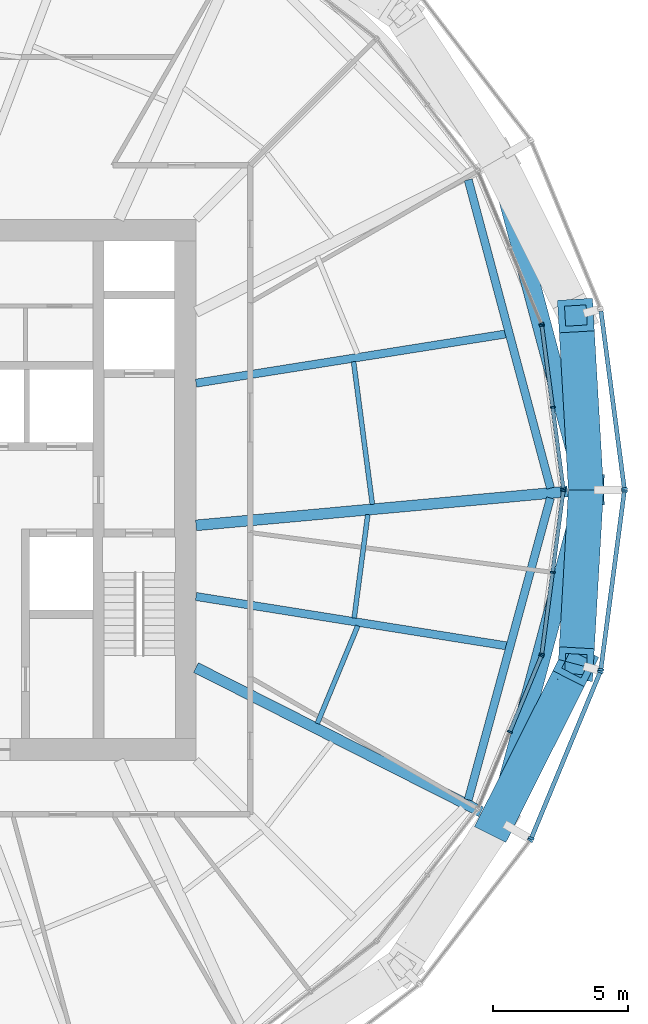
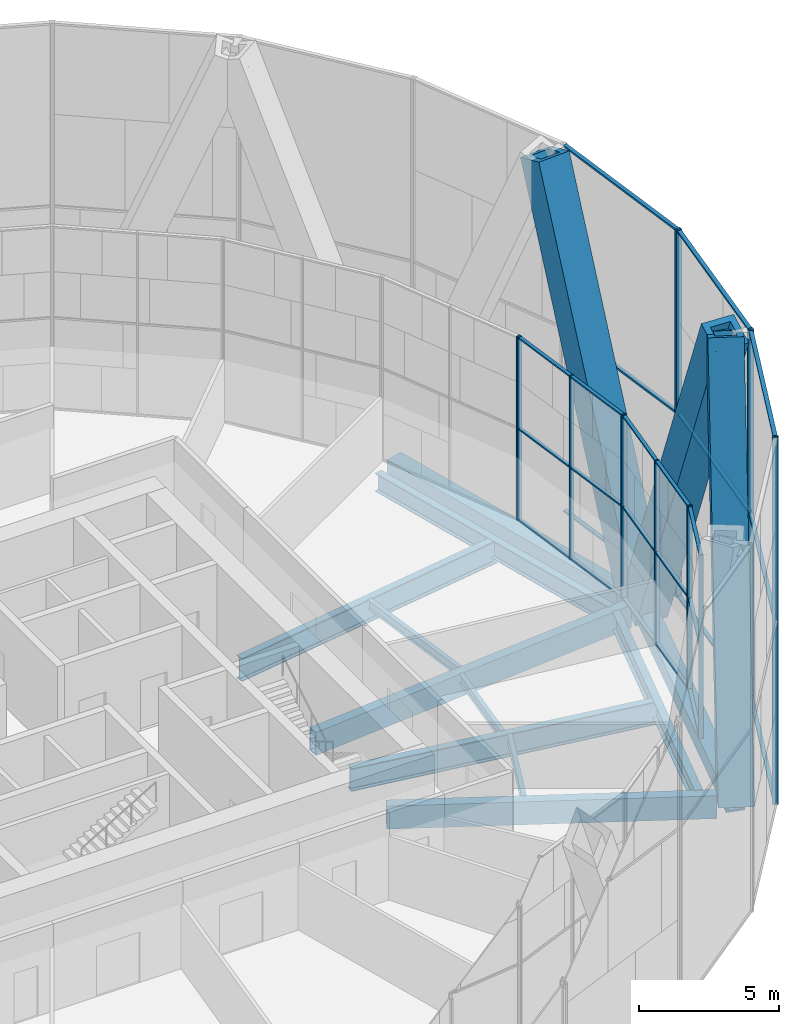
# One storey, part 5 of 22: 42 members, 11 beams, 8 elements without a shape of their own.
"""IFC4 building model written with IfcOpenShell, lengths in metres."""

from ifc_helpers import new_model, si_unit, direction, frame, origin, origin_2d, place, context, subcontext, project, spatial, rectangle, hollow_rectangle, i_section, extrude, material, material_profile, profile_set, type_object, element, aggregate, save


model = new_model("IFC4")

# Units and contexts
model_context = context("Model", 3, precision=1e-05, world=origin(), true_north=direction((0.0, 1.0)))
body_context = subcontext(model_context, "Body", "Model", "MODEL_VIEW")
ifc_project = project(units=[si_unit("LENGTHUNIT", "METRE"), si_unit("AREAUNIT", "SQUARE_METRE"), si_unit("VOLUMEUNIT", "CUBIC_METRE"), si_unit("PLANEANGLEUNIT", "RADIAN"), si_unit("MASSUNIT", "GRAM", prefix="KILO")], contexts=[model_context])

# Site, building, storey
site_placement = place(None, origin())
site = spatial("IfcSite", under=ifc_project, at=site_placement, CompositionType="ELEMENT")
building_placement = place(site_placement, origin())
building = spatial("IfcBuilding", under=site, at=building_placement, Name="Golbaran Civic Tower", CompositionType="ELEMENT")
storey_placement = place(building_placement, frame((0.0, 0.0, 53.0)))
storey = spatial("IfcBuildingStorey", under=building, at=storey_placement, Name="L12", CompositionType="ELEMENT", Elevation=53.0)

# Members
ifc_material_1 = material(Name="Steel S355", Category="steel")
ifc_material_profile_1 = material_profile(ifc_material_1, hollow_rectangle(XDim=1.300048828125, YDim=1.300048828125, WallThickness=0.25, at=origin_2d()), Name="BOX 1300x1300x250")
ifc_profile_set_1 = profile_set([ifc_material_profile_1], Name="Steel S355")
member_type_1 = type_object("IfcMemberType", Name="DIAGRID DIAGONAL BOX 1300x1300x250", PredefinedType="BRACE", material=ifc_profile_set_1)
for number, where, z_axis, x_axis, name in (
    (1, (24.416015625, 0.0, -0.7099609375), (-0.021622964428, 0.373420671031, 0.927410076426), (-0.998327703448, -0.05780827387, 0.0), "Diagonal D02-00R L12-L16"),
    (2, (24.416015625, 0.0, -0.7099609375), (-0.021622964428, -0.373420671031, 0.927410076426), (0.998327703448, -0.05780827387, 0.0), "Diagonal D02-00L L12-L16"),
):
    element("IfcMember", number, at=place(storey_placement, frame(where, z_axis=z_axis, x_axis=x_axis)), inside=storey, type_object=member_type_1, Name=name, PredefinedType="BRACE", context=body_context, shape_type="SweptSolid", body=[
        extrude(hollow_rectangle(XDim=1.300048828125, YDim=1.300048828125, WallThickness=0.25, at=origin_2d()), origin(), (0.0, 0.0, 1.0), 17.25244140625),
    ])
member_1_placement = place(storey_placement, frame((21.144775390625, -12.2080078125, -0.7099609375), z_axis=(0.167988782201, 0.334194514401, 0.927412419368), x_axis=(-0.893471758734, 0.449119378723, 0.0)))
element("IfcMember", 3, at=member_1_placement, inside=storey, type_object=member_type_1, Name="Diagonal D02-11R L12-L16", PredefinedType="BRACE", context=body_context, shape_type="SweptSolid", body=[
    extrude(hollow_rectangle(XDim=1.300048828125, YDim=1.300048828125, WallThickness=0.25, at=origin_2d()), origin(), (0.0, 0.0, 1.0), 17.252197265625),
])

# Beams
ifc_material_profile_2 = material_profile(ifc_material_1, hollow_rectangle(XDim=0.699951171875, YDim=0.699951171875, WallThickness=0.080078125, at=origin_2d()), Name="BOX 700x700x80")
ifc_profile_set_2 = profile_set([ifc_material_profile_2], Name="Steel S355")
beam_type_1 = type_object("IfcBeamType", Name="DIAGRID RING TIE BOX 700x700x80", PredefinedType="BEAM", material=ifc_profile_set_2)
for number, where, z_axis, x_axis, name in (
    (4, (24.416015625, 0.0, -0.7099609375), (-0.258827490311, 0.965923563363, 0.0), (-0.965923563363, -0.258827490311, 0.0), "Ring tie 0.00 L12"),
    (5, (21.144775390625, -12.2080078125, -0.7099609375), (0.258827490311, 0.965923563363, 0.0), (-0.965923563363, 0.258827490311, 0.0), "Ring tie 330.00 L12"),
):
    element("IfcBeam", number, at=place(storey_placement, frame(where, z_axis=z_axis, x_axis=x_axis)), inside=storey, type_object=beam_type_1, Name=name, PredefinedType="BEAM", context=body_context, shape_type="SweptSolid", body=[
        extrude(hollow_rectangle(XDim=0.699951171875, YDim=0.699951171875, WallThickness=0.080078125, at=origin_2d()), origin(), (0.0, 0.0, 1.0), 12.638671875),
    ])
ifc_material_profile_3 = material_profile(ifc_material_1, i_section(OverallWidth=0.300048828125, OverallDepth=0.800048828125, WebThickness=0.017578125, FlangeThickness=0.032958984375, FilletRadius=0.030029296875, at=origin_2d()), Name="HEB 800")
ifc_profile_set_3 = profile_set([ifc_material_profile_3], Name="Steel S355")
beam_type_2 = type_object("IfcBeamType", Name="EDGE BEAM HEB 800", PredefinedType="BEAM", material=ifc_profile_set_3)
beam_1_placement = place(storey_placement, frame((23.10595703125, 0.061279296875, -0.60009765625), z_axis=(-0.257877749749, 0.966177554171, 0.0), x_axis=(-0.966177554171, -0.257877749749, 0.0)))
element("IfcBeam", 6, at=beam_1_placement, inside=storey, type_object=beam_type_2, Name="Edge beam 0.00 L12", PredefinedType="BEAM", context=body_context, shape_type="SweptSolid", body=[
    extrude(i_section(OverallWidth=0.300048828125, OverallDepth=0.800048828125, WebThickness=0.017578125, FlangeThickness=0.032958984375, FilletRadius=0.030029296875, at=origin_2d()), origin(), (0.0, 0.0, 1.0), 11.797119140625),
])
beam_2_placement = place(storey_placement, frame((20.064453125, -11.4599609375, -0.60009765625), z_axis=(0.262683340783, 0.964882097707, 0.0), x_axis=(-0.964882097707, 0.262683340783, 0.0)))
element("IfcBeam", 7, at=beam_2_placement, inside=storey, type_object=beam_type_2, Name="Edge beam 330.00 L12", PredefinedType="BEAM", context=body_context, shape_type="SweptSolid", body=[
    extrude(i_section(OverallWidth=0.300048828125, OverallDepth=0.800048828125, WebThickness=0.017578125, FlangeThickness=0.032958984375, FilletRadius=0.030029296875, at=origin_2d()), origin(), (0.0, 0.0, 1.0), 11.565673828125),
])
ifc_material_profile_4 = material_profile(ifc_material_1, i_section(OverallWidth=0.179931640625, OverallDepth=0.39990234375, WebThickness=0.008544921875, FlangeThickness=0.013427734375, FilletRadius=0.02099609375, at=origin_2d()), Name="IPE 400")
ifc_profile_set_4 = profile_set([ifc_material_profile_4], Name="Steel S355")
beam_type_3 = type_object("IfcBeamType", Name="FLOOR INFILL BEAM IPE 400", PredefinedType="BEAM", material=ifc_profile_set_4)
beam_3_placement = place(storey_placement, frame((16.519775390625, -0.5390625, -0.39990234375), z_axis=(-0.130486557612, 0.991450078563, 0.0), x_axis=(-0.991450078563, -0.130486557612, 0.0)))
element("IfcBeam", 8, at=beam_3_placement, inside=storey, type_object=beam_type_3, Name="Infill beam 7.50 L12", PredefinedType="BEAM", context=body_context, shape_type="SweptSolid", body=[
    extrude(i_section(OverallWidth=0.179931640625, OverallDepth=0.39990234375, WebThickness=0.008544921875, FlangeThickness=0.013427734375, FilletRadius=0.02099609375, at=origin_2d()), origin(), (0.0, 0.0, 1.0), 5.321044921875),
])
beam_4_placement = place(storey_placement, frame((14.484619140625, -8.637939453125, -0.39990234375), z_axis=(0.382690071798, 0.92387678234, 0.0), x_axis=(-0.92387678234, 0.382690071798, 0.0)))
element("IfcBeam", 9, at=beam_4_placement, inside=storey, type_object=beam_type_3, Name="Infill beam 337.50 L12", PredefinedType="BEAM", context=body_context, shape_type="SweptSolid", body=[
    extrude(i_section(OverallWidth=0.179931640625, OverallDepth=0.39990234375, WebThickness=0.008544921875, FlangeThickness=0.013427734375, FilletRadius=0.02099609375, at=origin_2d()), origin(), (0.0, 0.0, 1.0), 3.909423828125),
])
beam_5_placement = place(storey_placement, frame((15.847412109375, -4.74169921875, -0.39990234375), z_axis=(0.130526525745, 0.991444817464, 0.0), x_axis=(-0.991444817464, 0.130526525745, 0.0)))
element("IfcBeam", 10, at=beam_5_placement, inside=storey, type_object=beam_type_3, Name="Infill beam 352.50 L12", PredefinedType="BEAM", context=body_context, shape_type="SweptSolid", body=[
    extrude(i_section(OverallWidth=0.179931640625, OverallDepth=0.39990234375, WebThickness=0.008544921875, FlangeThickness=0.013427734375, FilletRadius=0.02099609375, at=origin_2d()), origin(), (0.0, 0.0, 1.0), 3.858642578125),
])

# Curtain wall, members
ifc_material_2 = material(Name="Aluminium and glass", Category="aluminium")
curtain_wall_type_1 = type_object("IfcCurtainWallType", Name="INNER SKIN CURTAIN WALL", PredefinedType="NOTDEFINED", material=ifc_material_2)
curtain_wall_1_placement = place(storey_placement, origin())
curtain_wall_1 = element("IfcCurtainWall", 11, at=curtain_wall_1_placement, inside=storey, type_object=curtain_wall_type_1, Name="Inner skin L12 facet 1 CW1", ObjectType="INNER SKIN", PredefinedType="USERDEFINED")
ifc_material_3 = material(Name="Aluminium", Category="aluminium")
ifc_material_profile_5 = material_profile(ifc_material_3, rectangle(XDim=0.179931640625, YDim=0.06494140625, at=origin_2d()), Name="INNER SKIN CURTAIN WALL MULLION")
ifc_profile_set_5 = profile_set([ifc_material_profile_5], Name="Aluminium")
member_type_2 = type_object("IfcMemberType", Name="INNER SKIN CURTAIN WALL MULLION", PredefinedType="MULLION", material=ifc_profile_set_5)
member_2_placement = place(storey_placement, frame((23.580810546875, 0.0322265625, 0.0), z_axis=(0.0, 0.0, 1.0), x_axis=(-0.991444861374, -0.13052619222, 0.0)))
member_2 = element("IfcMember", 12, at=member_2_placement, type_object=member_type_2, Name="CW1 mullion 1", PredefinedType="MULLION", context=body_context, shape_type="SweptSolid", body=[
    extrude(rectangle(XDim=0.179931640625, YDim=0.06494140625, at=origin_2d()), origin(), (0.0, 0.0, 1.0), 8.0),
])
member_3_placement = place(storey_placement, frame((23.18310546875, 3.052001953125, 0.0), z_axis=(0.0, 0.0, 1.0), x_axis=(-0.991444861374, -0.13052619222, 0.0)))
member_3 = element("IfcMember", 13, at=member_3_placement, type_object=member_type_2, Name="CW1 mullion 2", PredefinedType="MULLION", context=body_context, shape_type="SweptSolid", body=[
    extrude(rectangle(XDim=0.179931640625, YDim=0.06494140625, at=origin_2d()), origin(), (0.0, 0.0, 1.0), 8.0),
])
member_4_placement = place(storey_placement, frame((22.78564453125, 6.072021484375, 0.0), z_axis=(0.0, 0.0, 1.0), x_axis=(-0.991444861374, -0.13052619222, 0.0)))
member_4 = element("IfcMember", 14, at=member_4_placement, type_object=member_type_2, Name="CW1 mullion 3", PredefinedType="MULLION", context=body_context, shape_type="SweptSolid", body=[
    extrude(rectangle(XDim=0.179931640625, YDim=0.06494140625, at=origin_2d()), origin(), (0.0, 0.0, 1.0), 8.0),
])

# Curtain wall, member
curtain_wall_2_placement = place(storey_placement, origin())
curtain_wall_2 = element("IfcCurtainWall", 15, at=curtain_wall_2_placement, inside=storey, type_object=curtain_wall_type_1, Name="Inner skin L12 facet 2 CW1", ObjectType="INNER SKIN", PredefinedType="USERDEFINED")
member_5_placement = place(storey_placement, frame((22.76904296875, 6.13427734375, 0.0), z_axis=(0.0, 0.0, 1.0), x_axis=(-0.923879532491, -0.382683432413, 0.0)))
member_5 = element("IfcMember", 16, at=member_5_placement, type_object=member_type_2, Name="CW1 mullion 1", PredefinedType="MULLION", context=body_context, shape_type="SweptSolid", body=[
    extrude(rectangle(XDim=0.179931640625, YDim=0.06494140625, at=origin_2d()), origin(), (0.0, 0.0, 1.0), 8.0),
])
aggregate(curtain_wall_2, [member_5])

# Curtain wall, members
curtain_wall_3_placement = place(storey_placement, origin())
curtain_wall_3 = element("IfcCurtainWall", 17, at=curtain_wall_3_placement, inside=storey, type_object=curtain_wall_type_1, Name="Inner skin L12 facet 23 CW1", ObjectType="INNER SKIN", PredefinedType="USERDEFINED")
member_6_placement = place(storey_placement, frame((21.603271484375, -8.948486328125, 0.0), z_axis=(0.0, 0.0, 1.0), x_axis=(-0.923879532491, 0.382683432413, 0.0)))
member_6 = element("IfcMember", 18, at=member_6_placement, type_object=member_type_2, Name="CW1 mullion 2", PredefinedType="MULLION", context=body_context, shape_type="SweptSolid", body=[
    extrude(rectangle(XDim=0.179931640625, YDim=0.06494140625, at=origin_2d()), origin(), (0.0, 0.0, 1.0), 8.0),
])
member_7_placement = place(storey_placement, frame((22.76904296875, -6.13427734375, 0.0), z_axis=(0.0, 0.0, 1.0), x_axis=(-0.923879532491, 0.382683432413, 0.0)))
member_7 = element("IfcMember", 19, at=member_7_placement, type_object=member_type_2, Name="CW1 mullion 3", PredefinedType="MULLION", context=body_context, shape_type="SweptSolid", body=[
    extrude(rectangle(XDim=0.179931640625, YDim=0.06494140625, at=origin_2d()), origin(), (0.0, 0.0, 1.0), 8.0),
])

curtain_wall_4_placement = place(storey_placement, origin())
curtain_wall_4 = element("IfcCurtainWall", 20, at=curtain_wall_4_placement, inside=storey, type_object=curtain_wall_type_1, Name="Inner skin L12 facet 24 CW1", ObjectType="INNER SKIN", PredefinedType="USERDEFINED")
member_8_placement = place(storey_placement, frame((22.78564453125, -6.072021484375, 0.0), z_axis=(0.0, 0.0, 1.0), x_axis=(-0.991444861374, 0.13052619222, 0.0)))
member_8 = element("IfcMember", 21, at=member_8_placement, type_object=member_type_2, Name="CW1 mullion 1", PredefinedType="MULLION", context=body_context, shape_type="SweptSolid", body=[
    extrude(rectangle(XDim=0.179931640625, YDim=0.06494140625, at=origin_2d()), origin(), (0.0, 0.0, 1.0), 8.0),
])
member_9_placement = place(storey_placement, frame((23.18310546875, -3.052001953125, 0.0), z_axis=(0.0, 0.0, 1.0), x_axis=(-0.991444861374, 0.13052619222, 0.0)))
member_9 = element("IfcMember", 22, at=member_9_placement, type_object=member_type_2, Name="CW1 mullion 2", PredefinedType="MULLION", context=body_context, shape_type="SweptSolid", body=[
    extrude(rectangle(XDim=0.179931640625, YDim=0.06494140625, at=origin_2d()), origin(), (0.0, 0.0, 1.0), 8.0),
])
member_10_placement = place(storey_placement, frame((23.580810546875, -0.0322265625, 0.0), z_axis=(0.0, 0.0, 1.0), x_axis=(-0.991444861374, 0.13052619222, 0.0)))
member_10 = element("IfcMember", 23, at=member_10_placement, type_object=member_type_2, Name="CW1 mullion 3", PredefinedType="MULLION", context=body_context, shape_type="SweptSolid", body=[
    extrude(rectangle(XDim=0.179931640625, YDim=0.06494140625, at=origin_2d()), origin(), (0.0, 0.0, 1.0), 8.0),
])

# Member
ifc_material_profile_6 = material_profile(ifc_material_3, rectangle(XDim=0.139892578125, YDim=0.06494140625, at=origin_2d()), Name="INNER SKIN CURTAIN WALL TRANSOM")
ifc_profile_set_6 = profile_set([ifc_material_profile_6], Name="Aluminium")
member_type_3 = type_object("IfcMemberType", Name="INNER SKIN CURTAIN WALL TRANSOM", PredefinedType="USERDEFINED", material=ifc_profile_set_6)
member_11_placement = place(storey_placement, frame((23.576416015625, 0.064453125, 0.032470703125), z_axis=(-0.130462986662, 0.991453180494, 0.0), x_axis=(-0.991453180494, -0.130462986662, 0.0)))
member_11 = element("IfcMember", 24, at=member_11_placement, type_object=member_type_3, Name="CW1 transom 1.1", ObjectType="TRANSOM", PredefinedType="USERDEFINED", context=body_context, shape_type="SweptSolid", body=[
    extrude(rectangle(XDim=0.139892578125, YDim=0.06494140625, at=origin_2d()), origin(), (0.0, 0.0, 1.0), 2.98095703125),
])

member_12_placement = place(storey_placement, frame((23.576416015625, 0.064453125, 4.0), z_axis=(-0.130462986662, 0.991453180494, 0.0), x_axis=(-0.991453180494, -0.130462986662, 0.0)))
member_12 = element("IfcMember", 25, at=member_12_placement, type_object=member_type_3, Name="CW1 transom 1.2", ObjectType="TRANSOM", PredefinedType="USERDEFINED", context=body_context, shape_type="SweptSolid", body=[
    extrude(rectangle(XDim=0.139892578125, YDim=0.06494140625, at=origin_2d()), origin(), (0.0, 0.0, 1.0), 2.98095703125),
])

member_13_placement = place(storey_placement, frame((23.576416015625, 0.064453125, 7.967529296875), z_axis=(-0.130462986662, 0.991453180494, 0.0), x_axis=(-0.991453180494, -0.130462986662, 0.0)))
member_13 = element("IfcMember", 26, at=member_13_placement, type_object=member_type_3, Name="CW1 transom 1.3", ObjectType="TRANSOM", PredefinedType="USERDEFINED", context=body_context, shape_type="SweptSolid", body=[
    extrude(rectangle(XDim=0.139892578125, YDim=0.06494140625, at=origin_2d()), origin(), (0.0, 0.0, 1.0), 2.98095703125),
])

member_14_placement = place(storey_placement, frame((23.178955078125, 3.084228515625, 0.032470703125), z_axis=(-0.130543489093, 0.991442584044, 0.0), x_axis=(-0.991442584044, -0.130543489093, 0.0)))
member_14 = element("IfcMember", 27, at=member_14_placement, type_object=member_type_3, Name="CW1 transom 2.1", ObjectType="TRANSOM", PredefinedType="USERDEFINED", context=body_context, shape_type="SweptSolid", body=[
    extrude(rectangle(XDim=0.139892578125, YDim=0.06494140625, at=origin_2d()), origin(), (0.0, 0.0, 1.0), 2.98095703125),
])

member_15_placement = place(storey_placement, frame((23.178955078125, 3.084228515625, 4.0), z_axis=(-0.130543489093, 0.991442584044, 0.0), x_axis=(-0.991442584044, -0.130543489093, 0.0)))
member_15 = element("IfcMember", 28, at=member_15_placement, type_object=member_type_3, Name="CW1 transom 2.2", ObjectType="TRANSOM", PredefinedType="USERDEFINED", context=body_context, shape_type="SweptSolid", body=[
    extrude(rectangle(XDim=0.139892578125, YDim=0.06494140625, at=origin_2d()), origin(), (0.0, 0.0, 1.0), 2.98095703125),
])

member_16_placement = place(storey_placement, frame((23.178955078125, 3.084228515625, 7.967529296875), z_axis=(-0.130543489093, 0.991442584044, 0.0), x_axis=(-0.991442584044, -0.130543489093, 0.0)))
member_16 = element("IfcMember", 29, at=member_16_placement, type_object=member_type_3, Name="CW1 transom 2.3", ObjectType="TRANSOM", PredefinedType="USERDEFINED", context=body_context, shape_type="SweptSolid", body=[
    extrude(rectangle(XDim=0.139892578125, YDim=0.06494140625, at=origin_2d()), origin(), (0.0, 0.0, 1.0), 2.98095703125),
])

aggregate(curtain_wall_1, [member_2, member_3, member_4, member_11, member_12, member_13, member_14, member_15, member_16])

member_17_placement = place(storey_placement, frame((21.61572265625, -8.91845703125, 0.032470703125), z_axis=(0.382701383548, 0.923872096684, 0.0), x_axis=(-0.923872096684, 0.382701383548, 0.0)))
member_17 = element("IfcMember", 30, at=member_17_placement, type_object=member_type_3, Name="CW1 transom 2.1", ObjectType="TRANSOM", PredefinedType="USERDEFINED", context=body_context, shape_type="SweptSolid", body=[
    extrude(rectangle(XDim=0.139892578125, YDim=0.06494140625, at=origin_2d()), origin(), (0.0, 0.0, 1.0), 2.981201171875),
])

member_18_placement = place(storey_placement, frame((21.61572265625, -8.91845703125, 4.0), z_axis=(0.382701383548, 0.923872096684, 0.0), x_axis=(-0.923872096684, 0.382701383548, 0.0)))
member_18 = element("IfcMember", 31, at=member_18_placement, type_object=member_type_3, Name="CW1 transom 2.2", ObjectType="TRANSOM", PredefinedType="USERDEFINED", context=body_context, shape_type="SweptSolid", body=[
    extrude(rectangle(XDim=0.139892578125, YDim=0.06494140625, at=origin_2d()), origin(), (0.0, 0.0, 1.0), 2.981201171875),
])

member_19_placement = place(storey_placement, frame((21.61572265625, -8.91845703125, 7.967529296875), z_axis=(0.382701383548, 0.923872096684, 0.0), x_axis=(-0.923872096684, 0.382701383548, 0.0)))
member_19 = element("IfcMember", 32, at=member_19_placement, type_object=member_type_3, Name="CW1 transom 2.3", ObjectType="TRANSOM", PredefinedType="USERDEFINED", context=body_context, shape_type="SweptSolid", body=[
    extrude(rectangle(XDim=0.139892578125, YDim=0.06494140625, at=origin_2d()), origin(), (0.0, 0.0, 1.0), 2.981201171875),
])

aggregate(curtain_wall_3, [member_6, member_7, member_17, member_18, member_19])

member_20_placement = place(storey_placement, frame((22.789794921875, -6.039794921875, 0.032470703125), z_axis=(0.130543489093, 0.991442584044, 0.0), x_axis=(-0.991442584044, 0.130543489093, 0.0)))
member_20 = element("IfcMember", 33, at=member_20_placement, type_object=member_type_3, Name="CW1 transom 1.1", ObjectType="TRANSOM", PredefinedType="USERDEFINED", context=body_context, shape_type="SweptSolid", body=[
    extrude(rectangle(XDim=0.139892578125, YDim=0.06494140625, at=origin_2d()), origin(), (0.0, 0.0, 1.0), 2.98095703125),
])

member_21_placement = place(storey_placement, frame((22.789794921875, -6.039794921875, 4.0), z_axis=(0.130543489093, 0.991442584044, 0.0), x_axis=(-0.991442584044, 0.130543489093, 0.0)))
member_21 = element("IfcMember", 34, at=member_21_placement, type_object=member_type_3, Name="CW1 transom 1.2", ObjectType="TRANSOM", PredefinedType="USERDEFINED", context=body_context, shape_type="SweptSolid", body=[
    extrude(rectangle(XDim=0.139892578125, YDim=0.06494140625, at=origin_2d()), origin(), (0.0, 0.0, 1.0), 2.98095703125),
])

member_22_placement = place(storey_placement, frame((22.789794921875, -6.039794921875, 7.967529296875), z_axis=(0.130543489093, 0.991442584044, 0.0), x_axis=(-0.991442584044, 0.130543489093, 0.0)))
member_22 = element("IfcMember", 35, at=member_22_placement, type_object=member_type_3, Name="CW1 transom 1.3", ObjectType="TRANSOM", PredefinedType="USERDEFINED", context=body_context, shape_type="SweptSolid", body=[
    extrude(rectangle(XDim=0.139892578125, YDim=0.06494140625, at=origin_2d()), origin(), (0.0, 0.0, 1.0), 2.98095703125),
])

member_23_placement = place(storey_placement, frame((23.1875, -3.02001953125, 0.032470703125), z_axis=(0.130462986662, 0.991453180494, 0.0), x_axis=(-0.991453180494, 0.130462986662, 0.0)))
member_23 = element("IfcMember", 36, at=member_23_placement, type_object=member_type_3, Name="CW1 transom 2.1", ObjectType="TRANSOM", PredefinedType="USERDEFINED", context=body_context, shape_type="SweptSolid", body=[
    extrude(rectangle(XDim=0.139892578125, YDim=0.06494140625, at=origin_2d()), origin(), (0.0, 0.0, 1.0), 2.98095703125),
])

member_24_placement = place(storey_placement, frame((23.1875, -3.02001953125, 4.0), z_axis=(0.130462986662, 0.991453180494, 0.0), x_axis=(-0.991453180494, 0.130462986662, 0.0)))
member_24 = element("IfcMember", 37, at=member_24_placement, type_object=member_type_3, Name="CW1 transom 2.2", ObjectType="TRANSOM", PredefinedType="USERDEFINED", context=body_context, shape_type="SweptSolid", body=[
    extrude(rectangle(XDim=0.139892578125, YDim=0.06494140625, at=origin_2d()), origin(), (0.0, 0.0, 1.0), 2.98095703125),
])

member_25_placement = place(storey_placement, frame((23.1875, -3.02001953125, 7.967529296875), z_axis=(0.130462986662, 0.991453180494, 0.0), x_axis=(-0.991453180494, 0.130462986662, 0.0)))
member_25 = element("IfcMember", 38, at=member_25_placement, type_object=member_type_3, Name="CW1 transom 2.3", ObjectType="TRANSOM", PredefinedType="USERDEFINED", context=body_context, shape_type="SweptSolid", body=[
    extrude(rectangle(XDim=0.139892578125, YDim=0.06494140625, at=origin_2d()), origin(), (0.0, 0.0, 1.0), 2.98095703125),
])

aggregate(curtain_wall_4, [member_8, member_9, member_10, member_20, member_21, member_22, member_23, member_24, member_25])

# Curtain wall, member
curtain_wall_type_2 = type_object("IfcCurtainWallType", Name="OUTER SKIN TERRACOTTA SCREEN", PredefinedType="NOTDEFINED", material=ifc_material_2)
curtain_wall_5_placement = place(storey_placement, origin())
curtain_wall_5 = element("IfcCurtainWall", 39, at=curtain_wall_5_placement, inside=storey, type_object=curtain_wall_type_2, Name="Outer skin L12 facet 1 CW3", ObjectType="OUTER SKIN", PredefinedType="USERDEFINED")
ifc_material_profile_7 = material_profile(ifc_material_3, rectangle(XDim=0.219970703125, YDim=0.080078125, at=origin_2d()), Name="OUTER SKIN TERRACOTTA SCREEN MULLION")
ifc_profile_set_7 = profile_set([ifc_material_profile_7], Name="Aluminium")
member_type_4 = type_object("IfcMemberType", Name="OUTER SKIN TERRACOTTA SCREEN MULLION", PredefinedType="MULLION", material=ifc_profile_set_7)
member_26_placement = place(storey_placement, frame((25.835693359375, 0.03955078125, -0.7099609375), z_axis=(0.0, 0.0, 1.0), x_axis=(-0.991444861369, -0.130526192255, 0.0)))
member_26 = element("IfcMember", 40, at=member_26_placement, type_object=member_type_4, Name="CW3 mullion 1", PredefinedType="MULLION", context=body_context, shape_type="SweptSolid", body=[
    extrude(rectangle(XDim=0.219970703125, YDim=0.080078125, at=origin_2d()), origin(), (0.0, 0.0, 1.0), 16.0),
])

curtain_wall_6_placement = place(storey_placement, origin())
curtain_wall_6 = element("IfcCurtainWall", 41, at=curtain_wall_6_placement, inside=storey, type_object=curtain_wall_type_2, Name="Outer skin L12 facet 22 CW3", ObjectType="OUTER SKIN", PredefinedType="USERDEFINED")
member_27_placement = place(storey_placement, frame((22.3544921875, -12.9521484375, -0.7099609375), z_axis=(0.0, 0.0, 1.0), x_axis=(-0.793353340355, 0.608761428926, 0.0)))
member_27 = element("IfcMember", 42, at=member_27_placement, type_object=member_type_4, Name="CW3 mullion 2", PredefinedType="MULLION", context=body_context, shape_type="SweptSolid", body=[
    extrude(rectangle(XDim=0.219970703125, YDim=0.080078125, at=origin_2d()), origin(), (0.0, 0.0, 1.0), 16.0),
])
aggregate(curtain_wall_6, [member_27])

# Curtain wall, members
curtain_wall_7_placement = place(storey_placement, origin())
curtain_wall_7 = element("IfcCurtainWall", 43, at=curtain_wall_7_placement, inside=storey, type_object=curtain_wall_type_2, Name="Outer skin L12 facet 23 CW3", ObjectType="OUTER SKIN", PredefinedType="USERDEFINED")
member_28_placement = place(storey_placement, frame((22.394287109375, -12.883544921875, -0.7099609375), z_axis=(0.0, 0.0, 1.0), x_axis=(-0.923879532518, 0.382683432349, 0.0)))
member_28 = element("IfcMember", 44, at=member_28_placement, type_object=member_type_4, Name="CW3 mullion 1", PredefinedType="MULLION", context=body_context, shape_type="SweptSolid", body=[
    extrude(rectangle(XDim=0.219970703125, YDim=0.080078125, at=origin_2d()), origin(), (0.0, 0.0, 1.0), 16.0),
])
member_29_placement = place(storey_placement, frame((24.945068359375, -6.72509765625, -0.7099609375), z_axis=(0.0, 0.0, 1.0), x_axis=(-0.923879532518, 0.382683432349, 0.0)))
member_29 = element("IfcMember", 45, at=member_29_placement, type_object=member_type_4, Name="CW3 mullion 2", PredefinedType="MULLION", context=body_context, shape_type="SweptSolid", body=[
    extrude(rectangle(XDim=0.219970703125, YDim=0.080078125, at=origin_2d()), origin(), (0.0, 0.0, 1.0), 16.0),
])

curtain_wall_8_placement = place(storey_placement, origin())
curtain_wall_8 = element("IfcCurtainWall", 46, at=curtain_wall_8_placement, inside=storey, type_object=curtain_wall_type_2, Name="Outer skin L12 facet 24 CW3", ObjectType="OUTER SKIN", PredefinedType="USERDEFINED")
member_30_placement = place(storey_placement, frame((24.9658203125, -6.6484375, -0.7099609375), z_axis=(0.0, 0.0, 1.0), x_axis=(-0.991444861369, 0.130526192255, 0.0)))
member_30 = element("IfcMember", 47, at=member_30_placement, type_object=member_type_4, Name="CW3 mullion 1", PredefinedType="MULLION", context=body_context, shape_type="SweptSolid", body=[
    extrude(rectangle(XDim=0.219970703125, YDim=0.080078125, at=origin_2d()), origin(), (0.0, 0.0, 1.0), 16.0),
])
member_31_placement = place(storey_placement, frame((25.835693359375, -0.03955078125, -0.7099609375), z_axis=(0.0, 0.0, 1.0), x_axis=(-0.991444861369, 0.130526192255, 0.0)))
member_31 = element("IfcMember", 48, at=member_31_placement, type_object=member_type_4, Name="CW3 mullion 2", PredefinedType="MULLION", context=body_context, shape_type="SweptSolid", body=[
    extrude(rectangle(XDim=0.219970703125, YDim=0.080078125, at=origin_2d()), origin(), (0.0, 0.0, 1.0), 16.0),
])

# Member
ifc_material_profile_8 = material_profile(ifc_material_3, rectangle(XDim=0.159912109375, YDim=0.080078125, at=origin_2d()), Name="OUTER SKIN TERRACOTTA SCREEN TRANSOM")
ifc_profile_set_8 = profile_set([ifc_material_profile_8], Name="Aluminium")
member_type_5 = type_object("IfcMemberType", Name="OUTER SKIN TERRACOTTA SCREEN TRANSOM", PredefinedType="USERDEFINED", material=ifc_profile_set_8)
member_32_placement = place(storey_placement, frame((25.83056640625, 0.079345703125, -0.669921875), z_axis=(-0.13052451429, 0.991445082276, 0.0), x_axis=(-0.991445082276, -0.13052451429, 0.0)))
member_32 = element("IfcMember", 49, at=member_32_placement, type_object=member_type_5, Name="CW3 transom 1.1", ObjectType="TRANSOM", PredefinedType="USERDEFINED", context=body_context, shape_type="SweptSolid", body=[
    extrude(rectangle(XDim=0.159912109375, YDim=0.080078125, at=origin_2d()), origin(), (0.0, 0.0, 1.0), 6.5859375),
])

member_33_placement = place(storey_placement, frame((25.83056640625, 0.079345703125, 7.2900390625), z_axis=(-0.13052451429, 0.991445082276, 0.0), x_axis=(-0.991445082276, -0.13052451429, 0.0)))
member_33 = element("IfcMember", 50, at=member_33_placement, type_object=member_type_5, Name="CW3 transom 1.2", ObjectType="TRANSOM", PredefinedType="USERDEFINED", context=body_context, shape_type="SweptSolid", body=[
    extrude(rectangle(XDim=0.159912109375, YDim=0.080078125, at=origin_2d()), origin(), (0.0, 0.0, 1.0), 6.5859375),
])

member_34_placement = place(storey_placement, frame((25.83056640625, 0.079345703125, 15.25), z_axis=(-0.13052451429, 0.991445082276, 0.0), x_axis=(-0.991445082276, -0.13052451429, 0.0)))
member_34 = element("IfcMember", 51, at=member_34_placement, type_object=member_type_5, Name="CW3 transom 1.3", ObjectType="TRANSOM", PredefinedType="USERDEFINED", context=body_context, shape_type="SweptSolid", body=[
    extrude(rectangle(XDim=0.159912109375, YDim=0.080078125, at=origin_2d()), origin(), (0.0, 0.0, 1.0), 6.5859375),
])

aggregate(curtain_wall_5, [member_26, member_32, member_33, member_34])

member_35_placement = place(storey_placement, frame((22.40966796875, -12.8466796875, -0.669921875), z_axis=(0.382669364313, 0.923885359564, 0.0), x_axis=(-0.923885359564, 0.382669364313, 0.0)))
member_35 = element("IfcMember", 52, at=member_35_placement, type_object=member_type_5, Name="CW3 transom 1.1", ObjectType="TRANSOM", PredefinedType="USERDEFINED", context=body_context, shape_type="SweptSolid", body=[
    extrude(rectangle(XDim=0.159912109375, YDim=0.080078125, at=origin_2d()), origin(), (0.0, 0.0, 1.0), 6.5859375),
])

member_36_placement = place(storey_placement, frame((22.40966796875, -12.8466796875, 7.2900390625), z_axis=(0.382669364313, 0.923885359564, 0.0), x_axis=(-0.923885359564, 0.382669364313, 0.0)))
member_36 = element("IfcMember", 53, at=member_36_placement, type_object=member_type_5, Name="CW3 transom 1.2", ObjectType="TRANSOM", PredefinedType="USERDEFINED", context=body_context, shape_type="SweptSolid", body=[
    extrude(rectangle(XDim=0.159912109375, YDim=0.080078125, at=origin_2d()), origin(), (0.0, 0.0, 1.0), 6.5859375),
])

member_37_placement = place(storey_placement, frame((22.40966796875, -12.8466796875, 15.25), z_axis=(0.382669364313, 0.923885359564, 0.0), x_axis=(-0.923885359564, 0.382669364313, 0.0)))
member_37 = element("IfcMember", 54, at=member_37_placement, type_object=member_type_5, Name="CW3 transom 1.3", ObjectType="TRANSOM", PredefinedType="USERDEFINED", context=body_context, shape_type="SweptSolid", body=[
    extrude(rectangle(XDim=0.159912109375, YDim=0.080078125, at=origin_2d()), origin(), (0.0, 0.0, 1.0), 6.5859375),
])

aggregate(curtain_wall_7, [member_28, member_29, member_35, member_36, member_37])

member_38_placement = place(storey_placement, frame((24.970947265625, -6.60888671875, -0.669921875), z_axis=(0.13052451429, 0.991445082276, 0.0), x_axis=(-0.991445082276, 0.13052451429, 0.0)))
member_38 = element("IfcMember", 55, at=member_38_placement, type_object=member_type_5, Name="CW3 transom 1.1", ObjectType="TRANSOM", PredefinedType="USERDEFINED", context=body_context, shape_type="SweptSolid", body=[
    extrude(rectangle(XDim=0.159912109375, YDim=0.080078125, at=origin_2d()), origin(), (0.0, 0.0, 1.0), 6.5859375),
])

member_39_placement = place(storey_placement, frame((24.970947265625, -6.60888671875, 7.2900390625), z_axis=(0.13052451429, 0.991445082276, 0.0), x_axis=(-0.991445082276, 0.13052451429, 0.0)))
member_39 = element("IfcMember", 56, at=member_39_placement, type_object=member_type_5, Name="CW3 transom 1.2", ObjectType="TRANSOM", PredefinedType="USERDEFINED", context=body_context, shape_type="SweptSolid", body=[
    extrude(rectangle(XDim=0.159912109375, YDim=0.080078125, at=origin_2d()), origin(), (0.0, 0.0, 1.0), 6.5859375),
])

member_40_placement = place(storey_placement, frame((24.970947265625, -6.60888671875, 15.25), z_axis=(0.13052451429, 0.991445082276, 0.0), x_axis=(-0.991445082276, 0.13052451429, 0.0)))
member_40 = element("IfcMember", 57, at=member_40_placement, type_object=member_type_5, Name="CW3 transom 1.3", ObjectType="TRANSOM", PredefinedType="USERDEFINED", context=body_context, shape_type="SweptSolid", body=[
    extrude(rectangle(XDim=0.159912109375, YDim=0.080078125, at=origin_2d()), origin(), (0.0, 0.0, 1.0), 6.5859375),
])

aggregate(curtain_wall_8, [member_30, member_31, member_38, member_39, member_40])

# Beams
ifc_material_profile_9 = material_profile(ifc_material_1, hollow_rectangle(XDim=0.39990234375, YDim=1.0, WallThickness=0.0400390625, at=origin_2d()), Name="BOX 1000x400x40")
ifc_profile_set_9 = profile_set([ifc_material_profile_9], Name="Steel S355")
beam_type_4 = type_object("IfcBeamType", Name="RADIAL FLOOR BEAM BOX 1000x400x40", PredefinedType="BEAM", material=ifc_profile_set_9)
beam_6_placement = place(storey_placement, frame((10.0, -1.314208984375, -0.7099609375), z_axis=(0.995870829581, 0.09078155534, 0.0), x_axis=(-0.09078155534, 0.995870829581, 0.0)))
element("IfcBeam", 58, at=beam_6_placement, inside=storey, type_object=beam_type_4, Name="Radial beam 0.00 L12", PredefinedType="BEAM", context=body_context, shape_type="SweptSolid", body=[
    extrude(hollow_rectangle(XDim=0.39990234375, YDim=1.0, WallThickness=0.0400390625, at=origin_2d()), origin(), (0.0, 0.0, 1.0), 13.790771484375),
])
beam_7_placement = place(storey_placement, frame((10.0, -6.571533203125, -0.7099609375), z_axis=(0.892363206425, -0.451317967533, 0.0), x_axis=(0.451317967533, 0.892363206425, 0.0)))
element("IfcBeam", 59, at=beam_7_placement, inside=storey, type_object=beam_type_4, Name="Radial beam 330.00 L12", PredefinedType="BEAM", context=body_context, shape_type="SweptSolid", body=[
    extrude(hollow_rectangle(XDim=0.39990234375, YDim=1.0, WallThickness=0.0400390625, at=origin_2d()), origin(), (0.0, 0.0, 1.0), 11.811767578125),
])
ifc_material_profile_10 = material_profile(ifc_material_1, i_section(OverallWidth=0.300048828125, OverallDepth=1.0, WebThickness=0.01904296875, FlangeThickness=0.035888671875, FilletRadius=0.030029296875, at=origin_2d()), Name="HEB 1000")
ifc_profile_set_10 = profile_set([ifc_material_profile_10], Name="Steel S355")
beam_type_5 = type_object("IfcBeamType", Name="SECONDARY FLOOR BEAM HEB 1000", PredefinedType="BEAM", material=ifc_profile_set_10)
beam_8_placement = place(storey_placement, frame((10.0, 3.94287109375, -0.7099609375), z_axis=(0.987619709689, 0.156867170032, 0.0), x_axis=(-0.156867170032, 0.987619709689, 0.0)))
element("IfcBeam", 60, at=beam_8_placement, inside=storey, type_object=beam_type_5, Name="Secondary beam 15.00 L12", PredefinedType="BEAM", context=body_context, shape_type="SweptSolid", body=[
    extrude(i_section(OverallWidth=0.300048828125, OverallDepth=1.0, WebThickness=0.01904296875, FlangeThickness=0.035888671875, FilletRadius=0.030029296875, at=origin_2d()), origin(), (0.0, 0.0, 1.0), 11.72412109375),
])
beam_9_placement = place(storey_placement, frame((10.0, -3.94287109375, -0.7099609375), z_axis=(0.987578035596, -0.157129321288, 0.0), x_axis=(0.157129321288, 0.987578035596, 0.0)))
element("IfcBeam", 61, at=beam_9_placement, inside=storey, type_object=beam_type_5, Name="Secondary beam 345.00 L12", PredefinedType="BEAM", context=body_context, shape_type="SweptSolid", body=[
    extrude(i_section(OverallWidth=0.300048828125, OverallDepth=1.0, WebThickness=0.01904296875, FlangeThickness=0.035888671875, FilletRadius=0.030029296875, at=origin_2d()), origin(), (0.0, 0.0, 1.0), 11.754150390625),
])

save(model, "model.ifc")
